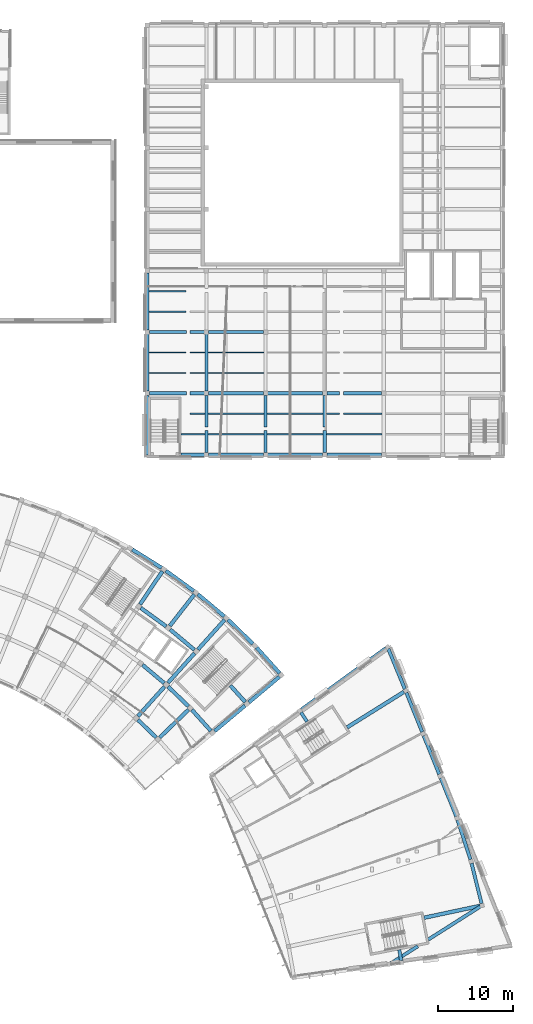
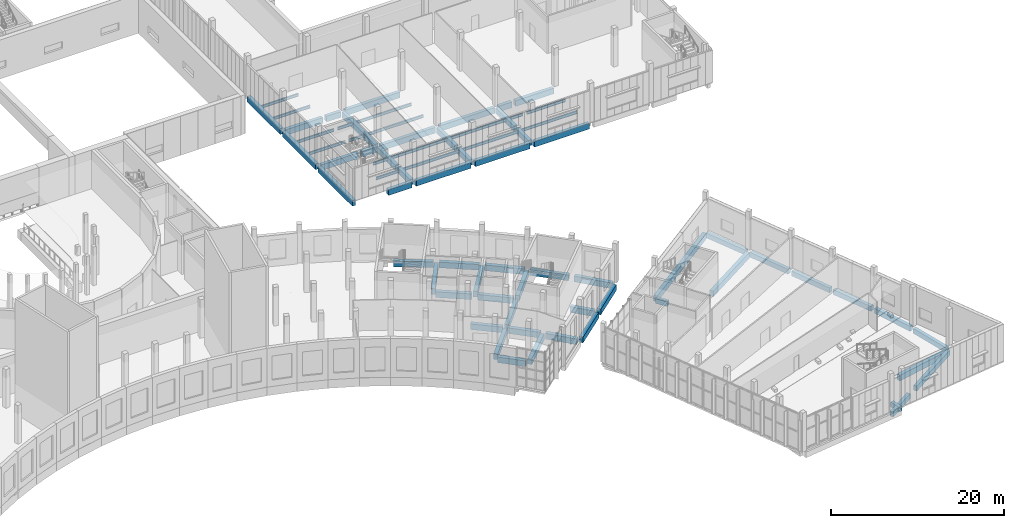
# One storey, part 20 of 87: 73 beams.
"""IFC4 building model written with IfcOpenShell, lengths in metres."""

import ifcopenshell
import ifcopenshell.guid

model = None  # the IFC model being written
_history = None  # IfcOwnerHistory: only IFC2X3 demands one
_inside = {}  # id of a spatial element -> (the spatial element, [elements in it])
_under = {}  # id of a project, library or spatial element -> (it, [spatial elements below it])
_declared = {}  # id of a project -> (the project, [libraries it declares])
_typed = {}  # id of a type object -> (the type object, [elements of that type])
_made_of = {}  # id of a material, layer set ... -> (it, [elements and type objects made of it])


def new_model(schema):
    """Start an empty IFC model of exactly this schema.

    Asked for "IFC4X3", IfcOpenShell would pick the latest addendum, in which some entities
    have other attributes; the version numbers below select the first issue.
    IFC2X3 requires an IfcOwnerHistory on every rooted entity: one is made here for all.
    """
    global model, _history
    if schema == "IFC4X3":
        model = ifcopenshell.file(schema_version=(4, 3, 0, 0))
    else:
        model = ifcopenshell.file(schema=schema)
    _inside.clear()
    _under.clear()
    _declared.clear()
    _typed.clear()
    _made_of.clear()
    _history = None
    if model.schema == "IFC2X3":
        org = make("IfcOrganization", Name="unknown")
        user = make(
            "IfcPersonAndOrganization",
            ThePerson=make("IfcPerson", FamilyName="unknown"),
            TheOrganization=org,
        )
        app = make(
            "IfcApplication",
            ApplicationDeveloper=org,
            Version="unknown",
            ApplicationFullName="unknown",
            ApplicationIdentifier="unknown",
        )
        _history = make(
            "IfcOwnerHistory",
            OwningUser=user,
            OwningApplication=app,
            ChangeAction="ADDED",
            CreationDate=0,
        )
    return model


def make(cls, **values):
    """One entity of the class cls with the attributes given. An attribute that is None is left unset."""
    return model.create_entity(
        cls, **{name: value for name, value in values.items() if value is not None}
    )


def rooted(cls, **values):
    """An entity with a GlobalId (a new one), such as an element, a storey or a relation."""
    return make(cls, GlobalId=ifcopenshell.guid.new(), OwnerHistory=_history, **values)


def si_unit(unit_type, name, prefix=None):
    """IfcSIUnit, for example si_unit("LENGTHUNIT", "METRE", prefix="MILLI")."""
    return make("IfcSIUnit", UnitType=unit_type, Prefix=prefix, Name=name)


def assignment(units):
    """IfcUnitAssignment: the units of a project."""
    return None if units is None else make("IfcUnitAssignment", Units=units)


def point(xyz):
    """IfcCartesianPoint."""
    return None if xyz is None else make("IfcCartesianPoint", Coordinates=xyz)


def direction(xyz):
    """IfcDirection."""
    return None if xyz is None else make("IfcDirection", DirectionRatios=xyz)


def frame(location, z_axis=None, x_axis=None):
    """IfcAxis2Placement3D, a coordinate frame: its origin and axes. An axis left out is left unset."""
    return make(
        "IfcAxis2Placement3D",
        Location=point(location),
        Axis=direction(z_axis),
        RefDirection=direction(x_axis),
    )


def frame_2d(location, x_axis=None):
    """IfcAxis2Placement2D, a coordinate frame in the plane: its origin and x axis."""
    return make(
        "IfcAxis2Placement2D", Location=point(location), RefDirection=direction(x_axis)
    )


def origin():
    """The frame at (0, 0, 0) with its axes left unset."""
    return frame((0.0, 0.0, 0.0))


def origin_2d():
    """The frame at (0, 0) in the plane with its x axis left unset."""
    return frame_2d((0.0, 0.0))


def place(relative_to, where):
    """IfcLocalPlacement: puts the frame where relative to a parent placement (None: the world)."""
    return make(
        "IfcLocalPlacement", PlacementRelTo=relative_to, RelativePlacement=where
    )


def context(
    kind, dimensions, precision=None, world=None, true_north=None, identifier=None
):
    """IfcGeometricRepresentationContext, for example the 3D "Model" context."""
    return make(
        "IfcGeometricRepresentationContext",
        ContextIdentifier=identifier,
        ContextType=kind,
        CoordinateSpaceDimension=dimensions,
        Precision=precision,
        WorldCoordinateSystem=world,
        TrueNorth=true_north,
    )


def subcontext(parent, identifier, kind, view, scale=None):
    """IfcGeometricRepresentationSubContext, for example "Body" below "Model"."""
    return make(
        "IfcGeometricRepresentationSubContext",
        ContextIdentifier=identifier,
        ContextType=kind,
        ParentContext=parent,
        TargetScale=scale,
        TargetView=view,
    )


def project(units=None, contexts=None):
    """IfcProject with its units and contexts."""
    return rooted(
        "IfcProject",
        Name="project",
        RepresentationContexts=contexts,
        UnitsInContext=assignment(units),
    )


def spatial(cls, under=None, at=None, **own):
    """A site, building, storey or space (cls), placed at a placement, below another one or the project."""
    s = rooted(cls, ObjectPlacement=at, **own)
    if under is not None:
        _under.setdefault(under.id(), (under, []))[1].append(s)
    return s


def profile(cls, at=None, kind="AREA", **sizes):
    """A parametric profile (cls). Its sizes go by their IFC names, for example OverallWidth=200.0."""
    return make(cls, ProfileType=kind, Position=at, **sizes)


def rectangle(**sizes):
    """IfcRectangleProfileDef."""
    return profile("IfcRectangleProfileDef", **sizes)


def i_section(**sizes):
    """IfcIShapeProfileDef."""
    return profile("IfcIShapeProfileDef", **sizes)


def extrude(swept, where, along, depth):
    """IfcExtrudedAreaSolid: the profile swept, set in the frame where, extruded along a direction by depth."""
    return make(
        "IfcExtrudedAreaSolid",
        SweptArea=swept,
        Position=where,
        ExtrudedDirection=direction(along),
        Depth=depth,
    )


def shape(context_of_items, identifier, shape_type, items):
    """IfcShapeRepresentation: the items that make up one representation, for example the "Body"."""
    return make(
        "IfcShapeRepresentation",
        ContextOfItems=context_of_items,
        RepresentationIdentifier=identifier,
        RepresentationType=shape_type,
        Items=items,
    )


def material(Name=None, Category=None):
    """IfcMaterial."""
    return make("IfcMaterial", Name=Name, Category=Category)


def material_profile(
    of_material, cross_section, Name=None, Category=None, Priority=None
):
    """IfcMaterialProfile: a cross section and its material."""
    return make(
        "IfcMaterialProfile",
        Name=Name,
        Material=of_material,
        Profile=cross_section,
        Priority=Priority,
        Category=Category,
    )


def profile_set(profiles, Name=None, composite=None):
    """IfcMaterialProfileSet."""
    return make(
        "IfcMaterialProfileSet",
        Name=Name,
        MaterialProfiles=profiles,
        CompositeProfile=composite,
    )


def made_of(thing, what):
    """Note that an element or type object is made of a material, layer set ...; save() writes the relation."""
    if what is not None:
        _made_of.setdefault(what.id(), (what, []))[1].append(thing)
    return thing


def type_object(cls, material=None, **own):
    """A type object (cls), such as IfcWallType, which elements share."""
    return made_of(rooted(cls, **own), material)


def element(
    cls,
    number,
    at=None,
    inside=None,
    cuts=None,
    type_object=None,
    material=None,
    context=None,
    identifier="Body",
    shape_type=None,
    held_by="IfcProductDefinitionShape",
    body=None,
    shapes=None,
    **own,
):
    """One element of the class cls, such as IfcWall. Its Tag is "e" and its number.

    at: its placement. inside: the storey or other place that contains it. cuts: it is an
    opening in that element (IfcRelVoidsElement). A single representation is given by context,
    identifier, shape_type and body (its items); several are given by shapes. held_by: the class
    of the entity that holds the representations. save() writes the other relations.
    """
    e = rooted(cls, Tag="e%d" % number, ObjectPlacement=at, **own)
    if body is not None:
        shapes = [shape(context, identifier, shape_type, body)]
    if shapes is not None:
        e.Representation = make(held_by, Representations=shapes)
    if inside is not None:
        _inside.setdefault(inside.id(), (inside, []))[1].append(e)
    if cuts is not None:
        rooted(
            "IfcRelVoidsElement", RelatingBuildingElement=cuts, RelatedOpeningElement=e
        )
    if type_object is not None:
        _typed.setdefault(type_object.id(), (type_object, []))[1].append(e)
    return made_of(e, material)


def aggregate(whole, parts):
    """IfcRelAggregates: a whole, such as a stair, and the parts it consists of."""
    return rooted("IfcRelAggregates", RelatingObject=whole, RelatedObjects=parts)


def save(model, path):
    """Write the relations noted so far, then the file.

    IfcRelAggregates (storeys below a building ...), IfcRelContainedInSpatialStructure (elements
    in a storey), IfcRelDefinesByType, IfcRelAssociatesMaterial and IfcRelDeclares: one each for
    every whole, place, type object, material and project.
    """
    for whole, parts in _under.values():
        aggregate(whole, parts)
    for where, things in _inside.values():
        rooted(
            "IfcRelContainedInSpatialStructure",
            RelatedElements=things,
            RelatingStructure=where,
        )
    for kind, things in _typed.values():
        rooted("IfcRelDefinesByType", RelatedObjects=things, RelatingType=kind)
    for what, things in _made_of.values():
        rooted("IfcRelAssociatesMaterial", RelatedObjects=things, RelatingMaterial=what)
    for by, libraries in _declared.values():
        rooted("IfcRelDeclares", RelatingContext=by, RelatedDefinitions=libraries)
    model.write(path)


model = new_model("IFC4")

# Units and contexts
model_context = context("Model", 3, precision=1e-05, world=origin(), true_north=direction((0.0, 1.0)))
body_context = subcontext(model_context, "Body", "Model", "MODEL_VIEW")
ifc_project = project(units=[si_unit("LENGTHUNIT", "METRE"), si_unit("AREAUNIT", "SQUARE_METRE"), si_unit("VOLUMEUNIT", "CUBIC_METRE"), si_unit("PLANEANGLEUNIT", "RADIAN"), si_unit("MASSUNIT", "GRAM", prefix="KILO")], contexts=[model_context])

# Site, building, storey
site_placement = place(None, origin())
site = spatial("IfcSite", under=ifc_project, at=site_placement, CompositionType="ELEMENT")
building_placement = place(site_placement, origin())
building = spatial("IfcBuilding", under=site, at=building_placement, Name="Lunette Opera House", CompositionType="ELEMENT")
storey_placement = place(building_placement, frame((0.0, 0.0, 11.5)))
storey = spatial("IfcBuildingStorey", under=building, at=storey_placement, Name="L02", CompositionType="ELEMENT", Elevation=11.5)

# Beams
ifc_material_1 = material(Name="Concrete C35/45", Category="concrete")
ifc_material_profile_1 = material_profile(ifc_material_1, rectangle(XDim=0.449951171875, YDim=0.699951171875, at=origin_2d()), Name="RC BEAM 450X700")
ifc_profile_set_1 = profile_set([ifc_material_profile_1], Name="Concrete C35/45")
beam_type_1 = type_object("IfcBeamType", Name="RC BEAM 450X700", PredefinedType="BEAM", material=ifc_profile_set_1)
beam_1_placement = place(storey_placement, frame((156.823974609375, 43.864013671875, -0.570068359375), z_axis=(0.559555526977, -0.82879286449, 0.0), x_axis=(0.82879286449, 0.559555526977, 0.0)))
element("IfcBeam", 1, at=beam_1_placement, inside=storey, type_object=beam_type_1, Name="beam-SB-L02-L02-RG10", PredefinedType="BEAM", context=body_context, shape_type="SweptSolid", body=[
    extrude(rectangle(XDim=0.449951171875, YDim=0.699951171875, at=origin_2d()), origin(), (0.0, 0.0, 1.0), 1.470703125),
])
beam_2_placement = place(storey_placement, frame((169.968994140625, 12.14697265625, -0.570068359375), z_axis=(0.173520096669, -0.98483032856, 0.0), x_axis=(0.98483032856, 0.173520096669, 0.0)))
element("IfcBeam", 2, at=beam_2_placement, inside=storey, type_object=beam_type_1, Name="beam-SB-L02-L02-RG16", PredefinedType="BEAM", context=body_context, shape_type="SweptSolid", body=[
    extrude(rectangle(XDim=0.449951171875, YDim=0.699951171875, at=origin_2d()), origin(), (0.0, 0.0, 1.0), 1.47021484375),
])
beam_3_placement = place(storey_placement, frame((168.508056640625, 52.362060546875, -0.570068359375), z_axis=(0.380730757581, -0.924685941405, 0.0), x_axis=(0.924685941405, 0.380730757581, 0.0)))
element("IfcBeam", 3, at=beam_3_placement, inside=storey, type_object=beam_type_1, Name="beam-SB-L02-L02-RG20", PredefinedType="BEAM", context=body_context, shape_type="SweptSolid", body=[
    extrude(rectangle(XDim=0.449951171875, YDim=0.699951171875, at=origin_2d()), origin(), (0.0, 0.0, 1.0), 5.802001953125),
])
beam_4_placement = place(storey_placement, frame((170.91796875, 46.506103515625, -0.570068359375), z_axis=(0.373792337648, -0.927512419494, 0.0), x_axis=(0.927512419494, 0.373792337648, 0.0)))
element("IfcBeam", 4, at=beam_4_placement, inside=storey, type_object=beam_type_1, Name="beam-SB-L02-L02-RG21", PredefinedType="BEAM", context=body_context, shape_type="SweptSolid", body=[
    extrude(rectangle(XDim=0.449951171875, YDim=0.699951171875, at=origin_2d()), origin(), (0.0, 0.0, 1.0), 5.658203125),
])
beam_5_placement = place(storey_placement, frame((173.23193359375, 40.76611328125, -0.570068359375), z_axis=(0.374141105341, -0.927371788063, 0.0), x_axis=(0.927371788063, 0.374141105341, 0.0)))
element("IfcBeam", 5, at=beam_5_placement, inside=storey, type_object=beam_type_1, Name="beam-SB-L02-L02-RG22", PredefinedType="BEAM", context=body_context, shape_type="SweptSolid", body=[
    extrude(rectangle(XDim=0.449951171875, YDim=0.699951171875, at=origin_2d()), origin(), (0.0, 0.0, 1.0), 5.5673828125),
])
beam_6_placement = place(storey_placement, frame((175.513916015625, 35.112060546875, -0.570068359375), z_axis=(0.374558549143, -0.927203264265, 0.0), x_axis=(0.927203264265, 0.374558549143, 0.0)))
element("IfcBeam", 6, at=beam_6_placement, inside=storey, type_object=beam_type_1, Name="beam-SB-L02-L02-RG23", PredefinedType="BEAM", context=body_context, shape_type="SweptSolid", body=[
    extrude(rectangle(XDim=0.449951171875, YDim=0.699951171875, at=origin_2d()), origin(), (0.0, 0.0, 1.0), 5.537109375),
])
beam_7_placement = place(storey_placement, frame((177.76904296875, 29.47998046875, -0.570068359375), z_axis=(0.30910401414, -0.951028237458, 0.0), x_axis=(0.951028237458, 0.30910401414, 0.0)))
element("IfcBeam", 7, at=beam_7_placement, inside=storey, type_object=beam_type_1, Name="beam-SB-L02-L02-RG24", PredefinedType="BEAM", context=body_context, shape_type="SweptSolid", body=[
    extrude(rectangle(XDim=0.449951171875, YDim=0.699951171875, at=origin_2d()), origin(), (0.0, 0.0, 1.0), 5.538330078125),
])
beam_8_placement = place(storey_placement, frame((179.626953125, 23.7041015625, -0.570068359375), z_axis=(0.241830131183, -0.970318601106, 0.0), x_axis=(0.970318601106, 0.241830131183, 0.0)))
element("IfcBeam", 8, at=beam_8_placement, inside=storey, type_object=beam_type_1, Name="beam-SB-L02-L02-RG25", PredefinedType="BEAM", context=body_context, shape_type="SweptSolid", body=[
    extrude(rectangle(XDim=0.449951171875, YDim=0.699951171875, at=origin_2d()), origin(), (0.0, 0.0, 1.0), 5.537353515625),
])
beam_9_placement = place(storey_placement, frame((180.806884765625, 17.931884765625, -0.570068359375), z_axis=(-0.844138835531, -0.536124636954, 0.0), x_axis=(0.536124636954, -0.844138835531, 0.0)))
element("IfcBeam", 9, at=beam_9_placement, inside=storey, type_object=beam_type_1, Name="beam-SB-L02-L02-RG26", PredefinedType="BEAM", context=body_context, shape_type="SweptSolid", body=[
    extrude(rectangle(XDim=0.449951171875, YDim=0.699951171875, at=origin_2d()), origin(), (0.0, 0.0, 1.0), 8.249755859375),
])
beam_10_placement = place(storey_placement, frame((172.445068359375, 12.6220703125, -0.570068359375), z_axis=(-0.844124171518, -0.536147725034, 0.0), x_axis=(0.536147725034, -0.844124171518, 0.0)))
element("IfcBeam", 10, at=beam_10_placement, inside=storey, type_object=beam_type_1, Name="beam-SB-L02-L02-RG26-1", PredefinedType="BEAM", context=body_context, shape_type="SweptSolid", body=[
    extrude(rectangle(XDim=0.449951171875, YDim=0.699951171875, at=origin_2d()), origin(), (0.0, 0.0, 1.0), 4.23388671875),
])
ifc_material_2 = material(Name="Concrete C35/45", Category="concrete")
ifc_material_profile_2 = material_profile(ifc_material_2, rectangle(XDim=0.449951171875, YDim=0.800048828125, at=origin_2d()), Name="RC BEAM 450X800")
ifc_profile_set_2 = profile_set([ifc_material_profile_2], Name="Concrete C35/45")
beam_type_2 = type_object("IfcBeamType", Name="RC BEAM 450X800", PredefinedType="BEAM", material=ifc_profile_set_2)
beam_11_placement = place(storey_placement, frame((136.300048828125, 78.300048828125, -0.550048828125), z_axis=(0.0, 1.0, 0.0), x_axis=(-1.0, 0.0, 0.0)))
element("IfcBeam", 11, at=beam_11_placement, inside=storey, type_object=beam_type_2, Name="beam-WW-L02-L02-GY00", PredefinedType="BEAM", context=body_context, shape_type="SweptSolid", body=[
    extrude(rectangle(XDim=0.449951171875, YDim=0.800048828125, at=origin_2d()), origin(), (0.0, 0.0, 1.0), 7.909912109375),
])
beam_12_placement = place(storey_placement, frame((136.300048828125, 86.7900390625, -0.550048828125), z_axis=(0.0, 1.0, 0.0), x_axis=(-1.0, 0.0, 0.0)))
element("IfcBeam", 12, at=beam_12_placement, inside=storey, type_object=beam_type_2, Name="beam-WW-L02-L02-GY01", PredefinedType="BEAM", context=body_context, shape_type="SweptSolid", body=[
    extrude(rectangle(XDim=0.449951171875, YDim=0.800048828125, at=origin_2d()), origin(), (0.0, 0.0, 1.0), 7.619873046875),
])
beam_13_placement = place(storey_placement, frame((136.300048828125, 94.989990234375, -0.550048828125), z_axis=(0.0, 1.0, 0.0), x_axis=(-1.0, 0.0, 0.0)))
element("IfcBeam", 13, at=beam_13_placement, inside=storey, type_object=beam_type_2, Name="beam-WW-L02-L02-GY02", PredefinedType="BEAM", context=body_context, shape_type="SweptSolid", body=[
    extrude(rectangle(XDim=0.449951171875, YDim=0.800048828125, at=origin_2d()), origin(), (0.0, 0.0, 1.0), 7.6201171875),
])
beam_14_placement = place(storey_placement, frame((144.199951171875, 78.590087890625, -0.550048828125), z_axis=(0.0, 1.0, 0.0), x_axis=(-1.0, 0.0, 0.0)))
element("IfcBeam", 14, at=beam_14_placement, inside=storey, type_object=beam_type_2, Name="beam-WW-L02-L02-GY10", PredefinedType="BEAM", context=body_context, shape_type="SweptSolid", body=[
    extrude(rectangle(XDim=0.449951171875, YDim=0.800048828125, at=origin_2d()), origin(), (0.0, 0.0, 1.0), 2.919921875),
])
beam_15_placement = place(storey_placement, frame((144.199951171875, 81.989990234375, -0.550048828125), z_axis=(0.0, 1.0, 0.0), x_axis=(-1.0, 0.0, 0.0)))
element("IfcBeam", 15, at=beam_15_placement, inside=storey, type_object=beam_type_2, Name="beam-WW-L02-L02-GY10-1", PredefinedType="BEAM", context=body_context, shape_type="SweptSolid", body=[
    extrude(rectangle(XDim=0.449951171875, YDim=0.800048828125, at=origin_2d()), origin(), (0.0, 0.0, 1.0), 4.219970703125),
])
beam_16_placement = place(storey_placement, frame((144.199951171875, 86.7900390625, -0.550048828125), z_axis=(0.0, 1.0, 0.0), x_axis=(-1.0, 0.0, 0.0)))
element("IfcBeam", 16, at=beam_16_placement, inside=storey, type_object=beam_type_2, Name="beam-WW-L02-L02-GY11", PredefinedType="BEAM", context=body_context, shape_type="SweptSolid", body=[
    extrude(rectangle(XDim=0.449951171875, YDim=0.800048828125, at=origin_2d()), origin(), (0.0, 0.0, 1.0), 7.619873046875),
])
beam_17_placement = place(storey_placement, frame((152.10009765625, 78.590087890625, -0.550048828125), z_axis=(0.0, 1.0, 0.0), x_axis=(-1.0, 0.0, 0.0)))
element("IfcBeam", 17, at=beam_17_placement, inside=storey, type_object=beam_type_2, Name="beam-WW-L02-L02-GY20", PredefinedType="BEAM", context=body_context, shape_type="SweptSolid", body=[
    extrude(rectangle(XDim=0.449951171875, YDim=0.800048828125, at=origin_2d()), origin(), (0.0, 0.0, 1.0), 2.919921875),
])
beam_18_placement = place(storey_placement, frame((152.10009765625, 81.989990234375, -0.550048828125), z_axis=(0.0, 1.0, 0.0), x_axis=(-1.0, 0.0, 0.0)))
element("IfcBeam", 18, at=beam_18_placement, inside=storey, type_object=beam_type_2, Name="beam-WW-L02-L02-GY20-1", PredefinedType="BEAM", context=body_context, shape_type="SweptSolid", body=[
    extrude(rectangle(XDim=0.449951171875, YDim=0.800048828125, at=origin_2d()), origin(), (0.0, 0.0, 1.0), 4.219970703125),
])
beam_19_placement = place(storey_placement, frame((160.0, 78.590087890625, -0.550048828125), z_axis=(0.0, 1.0, 0.0), x_axis=(-1.0, 0.0, 0.0)))
element("IfcBeam", 19, at=beam_19_placement, inside=storey, type_object=beam_type_2, Name="beam-WW-L02-L02-GY30", PredefinedType="BEAM", context=body_context, shape_type="SweptSolid", body=[
    extrude(rectangle(XDim=0.449951171875, YDim=0.800048828125, at=origin_2d()), origin(), (0.0, 0.0, 1.0), 2.919921875),
])
beam_20_placement = place(storey_placement, frame((160.0, 81.989990234375, -0.550048828125), z_axis=(0.0, 1.0, 0.0), x_axis=(-1.0, 0.0, 0.0)))
element("IfcBeam", 20, at=beam_20_placement, inside=storey, type_object=beam_type_2, Name="beam-WW-L02-L02-GY30-1", PredefinedType="BEAM", context=body_context, shape_type="SweptSolid", body=[
    extrude(rectangle(XDim=0.449951171875, YDim=0.800048828125, at=origin_2d()), origin(), (0.0, 0.0, 1.0), 4.219970703125),
])
beam_21_placement = place(storey_placement, frame((140.7900390625, 78.300048828125, -0.550048828125), z_axis=(1.0, 0.0, 0.0), x_axis=(0.0, 1.0, 0.0)))
element("IfcBeam", 21, at=beam_21_placement, inside=storey, type_object=beam_type_2, Name="beam-WW-L02-L02-GX00", PredefinedType="BEAM", context=body_context, shape_type="SweptSolid", body=[
    extrude(rectangle(XDim=0.449951171875, YDim=0.800048828125, at=origin_2d()), origin(), (0.0, 0.0, 1.0), 3.119873046875),
])
for number, where, z_axis, x_axis, name in (
    (22, (144.489990234375, 78.300048828125, -0.550048828125), (1.0, 0.0, 0.0), (0.0, 1.0, 0.0), "beam-WW-L02-L02-GX10"),
    (23, (152.389892578125, 78.300048828125, -0.550048828125), (1.0, 0.0, 0.0), (0.0, 1.0, 0.0), "beam-WW-L02-L02-GX20"),
    (24, (160.2900390625, 78.300048828125, -0.550048828125), (1.0, 0.0, 0.0), (0.0, 1.0, 0.0), "beam-WW-L02-L02-GX30"),
):
    element("IfcBeam", number, at=place(storey_placement, frame(where, z_axis=z_axis, x_axis=x_axis)), inside=storey, type_object=beam_type_2, Name=name, PredefinedType="BEAM", context=body_context, shape_type="SweptSolid", body=[
        extrude(rectangle(XDim=0.449951171875, YDim=0.800048828125, at=origin_2d()), origin(), (0.0, 0.0, 1.0), 7.320068359375),
    ])
beam_22_placement = place(storey_placement, frame((136.590087890625, 86.5, -0.550048828125), z_axis=(1.0, 0.0, 0.0), x_axis=(0.0, 1.0, 0.0)))
element("IfcBeam", 25, at=beam_22_placement, inside=storey, type_object=beam_type_2, Name="beam-WW-L02-L02-GX01", PredefinedType="BEAM", context=body_context, shape_type="SweptSolid", body=[
    extrude(rectangle(XDim=0.449951171875, YDim=0.800048828125, at=origin_2d()), origin(), (0.0, 0.0, 1.0), 4.919921875),
])
beam_23_placement = place(storey_placement, frame((141.989990234375, 86.5, -0.550048828125), z_axis=(1.0, 0.0, 0.0), x_axis=(0.0, 1.0, 0.0)))
element("IfcBeam", 26, at=beam_23_placement, inside=storey, type_object=beam_type_2, Name="beam-WW-L02-L02-GX01-1", PredefinedType="BEAM", context=body_context, shape_type="SweptSolid", body=[
    extrude(rectangle(XDim=0.449951171875, YDim=0.800048828125, at=origin_2d()), origin(), (0.0, 0.0, 1.0), 1.919921875),
])
for number, where, z_axis, x_axis, name in (
    (27, (144.489990234375, 86.5, -0.550048828125), (1.0, 0.0, 0.0), (0.0, 1.0, 0.0), "beam-WW-L02-L02-GX11"),
    (28, (152.389892578125, 86.5, -0.550048828125), (1.0, 0.0, 0.0), (0.0, 1.0, 0.0), "beam-WW-L02-L02-GX21"),
):
    element("IfcBeam", number, at=place(storey_placement, frame(where, z_axis=z_axis, x_axis=x_axis)), inside=storey, type_object=beam_type_2, Name=name, PredefinedType="BEAM", context=body_context, shape_type="SweptSolid", body=[
        extrude(rectangle(XDim=0.449951171875, YDim=0.800048828125, at=origin_2d()), origin(), (0.0, 0.0, 1.0), 7.320068359375),
    ])
beam_24_placement = place(storey_placement, frame((160.2900390625, 86.5, -0.550048828125), z_axis=(1.0, 0.0, 0.0), x_axis=(0.0, 1.0, 0.0)))
element("IfcBeam", 29, at=beam_24_placement, inside=storey, type_object=beam_type_2, Name="beam-WW-L02-L02-GX31", PredefinedType="BEAM", context=body_context, shape_type="SweptSolid", body=[
    extrude(rectangle(XDim=0.449951171875, YDim=0.800048828125, at=origin_2d()), origin(), (0.0, 0.0, 1.0), 1.719970703125),
])
beam_25_placement = place(storey_placement, frame((162.489990234375, 86.5, -0.550048828125), z_axis=(1.0, 0.0, 0.0), x_axis=(0.0, 1.0, 0.0)))
element("IfcBeam", 30, at=beam_25_placement, inside=storey, type_object=beam_type_2, Name="beam-WW-L02-L02-GX31-1", PredefinedType="BEAM", context=body_context, shape_type="SweptSolid", body=[
    extrude(rectangle(XDim=0.449951171875, YDim=0.800048828125, at=origin_2d()), origin(), (0.0, 0.0, 1.0), 5.1201171875),
])
beam_26_placement = place(storey_placement, frame((136.590087890625, 94.699951171875, -0.550048828125), z_axis=(1.0, 0.0, 0.0), x_axis=(0.0, 1.0, 0.0)))
element("IfcBeam", 31, at=beam_26_placement, inside=storey, type_object=beam_type_2, Name="beam-WW-L02-L02-GX02", PredefinedType="BEAM", context=body_context, shape_type="SweptSolid", body=[
    extrude(rectangle(XDim=0.449951171875, YDim=0.800048828125, at=origin_2d()), origin(), (0.0, 0.0, 1.0), 4.919921875),
])
beam_27_placement = place(storey_placement, frame((141.989990234375, 94.699951171875, -0.550048828125), z_axis=(1.0, 0.0, 0.0), x_axis=(0.0, 1.0, 0.0)))
element("IfcBeam", 32, at=beam_27_placement, inside=storey, type_object=beam_type_2, Name="beam-WW-L02-L02-GX02-1", PredefinedType="BEAM", context=body_context, shape_type="SweptSolid", body=[
    extrude(rectangle(XDim=0.449951171875, YDim=0.800048828125, at=origin_2d()), origin(), (0.0, 0.0, 1.0), 1.919921875),
])
beam_28_placement = place(storey_placement, frame((144.489990234375, 94.699951171875, -0.550048828125), z_axis=(1.0, 0.0, 0.0), x_axis=(0.0, 1.0, 0.0)))
element("IfcBeam", 33, at=beam_28_placement, inside=storey, type_object=beam_type_2, Name="beam-WW-L02-L02-GX12", PredefinedType="BEAM", context=body_context, shape_type="SweptSolid", body=[
    extrude(rectangle(XDim=0.449951171875, YDim=0.800048828125, at=origin_2d()), origin(), (0.0, 0.0, 1.0), 7.320068359375),
])
ifc_material_3 = material(Name="Concrete C35/45", Category="concrete")
ifc_material_profile_3 = material_profile(ifc_material_3, rectangle(XDim=0.5, YDim=0.800048828125, at=origin_2d()), Name="RC BEAM 500X800")
ifc_profile_set_3 = profile_set([ifc_material_profile_3], Name="Concrete C35/45")
beam_type_3 = type_object("IfcBeamType", Name="RC BEAM 500X800", PredefinedType="BEAM", material=ifc_profile_set_3)
for number, where, z_axis, x_axis, name in (
    (34, (135.333984375, 58.31494140625, -0.6201171875), (0.559245834689, 0.829001867539, 0.0), (-0.829001867539, 0.559245834689, 0.0), "beam-FC-L02-L02-RB-RL-22-4"),
    (35, (139.305908203125, 55.428955078125, -0.6201171875), (0.615648494847, 0.788020894896, 0.0), (-0.788020894896, 0.615648494847, 0.0), "beam-FC-L02-L02-RB-RL-23-4"),
):
    element("IfcBeam", number, at=place(storey_placement, frame(where, z_axis=z_axis, x_axis=x_axis)), inside=storey, type_object=beam_type_3, Name=name, PredefinedType="BEAM", context=body_context, shape_type="SweptSolid", body=[
        extrude(rectangle(XDim=0.5, YDim=0.800048828125, at=origin_2d()), origin(), (0.0, 0.0, 1.0), 5.31982421875),
    ])
beam_29_placement = place(storey_placement, frame((135.037109375, 43.35498046875, -0.6201171875), z_axis=(0.669081342806, 0.743189179623, 0.0), x_axis=(-0.743189179623, 0.669081342806, 0.0)))
element("IfcBeam", 36, at=beam_29_placement, inside=storey, type_object=beam_type_3, Name="beam-FC-L02-L02-RB-RL-24-2", PredefinedType="BEAM", context=body_context, shape_type="SweptSolid", body=[
    extrude(rectangle(XDim=0.5, YDim=0.800048828125, at=origin_2d()), origin(), (0.0, 0.0, 1.0), 5.320556640625),
])
beam_30_placement = place(storey_placement, frame((139.052001953125, 47.81396484375, -0.6201171875), z_axis=(0.66919796217, 0.743084172505, 0.0), x_axis=(-0.743084172505, 0.66919796217, 0.0)))
element("IfcBeam", 37, at=beam_30_placement, inside=storey, type_object=beam_type_3, Name="beam-FC-L02-L02-RB-RL-24-3", PredefinedType="BEAM", context=body_context, shape_type="SweptSolid", body=[
    extrude(rectangle(XDim=0.5, YDim=0.800048828125, at=origin_2d()), origin(), (0.0, 0.0, 1.0), 5.31982421875),
])
beam_31_placement = place(storey_placement, frame((143.06689453125, 52.27294921875, -0.6201171875), z_axis=(0.669096581874, 0.743175459851, 0.0), x_axis=(-0.743175459851, 0.669096581874, 0.0)))
element("IfcBeam", 38, at=beam_31_placement, inside=storey, type_object=beam_type_3, Name="beam-FC-L02-L02-RB-RL-24-4", PredefinedType="BEAM", context=body_context, shape_type="SweptSolid", body=[
    extrude(rectangle(XDim=0.5, YDim=0.800048828125, at=origin_2d()), origin(), (0.0, 0.0, 1.0), 5.3193359375),
])
beam_32_placement = place(storey_placement, frame((137.966064453125, 40.52587890625, -0.6201171875), z_axis=(0.719297872313, 0.694701785579, 0.0), x_axis=(-0.694701785579, 0.719297872313, 0.0)))
element("IfcBeam", 39, at=beam_32_placement, inside=storey, type_object=beam_type_3, Name="beam-FC-L02-L02-RB-RL-25-2", PredefinedType="BEAM", context=body_context, shape_type="SweptSolid", body=[
    extrude(rectangle(XDim=0.5, YDim=0.800048828125, at=origin_2d()), origin(), (0.0, 0.0, 1.0), 5.3203125),
])
beam_33_placement = place(storey_placement, frame((145.287109375, 41.35693359375, -0.6201171875), z_axis=(0.76603920911, 0.642793847285, 0.0), x_axis=(-0.642793847285, 0.76603920911, 0.0)))
element("IfcBeam", 40, at=beam_33_placement, inside=storey, type_object=beam_type_3, Name="beam-FC-L02-L02-RB-RL-26-3", PredefinedType="BEAM", context=body_context, shape_type="SweptSolid", body=[
    extrude(rectangle(XDim=0.5, YDim=0.800048828125, at=origin_2d()), origin(), (0.0, 0.0, 1.0), 5.32080078125),
])
beam_34_placement = place(storey_placement, frame((149.884033203125, 45.214111328125, -0.6201171875), z_axis=(0.766076352309, 0.642749579878, 0.0), x_axis=(-0.642749579878, 0.766076352309, 0.0)))
element("IfcBeam", 41, at=beam_34_placement, inside=storey, type_object=beam_type_3, Name="beam-FC-L02-L02-RB-RL-26-4", PredefinedType="BEAM", context=body_context, shape_type="SweptSolid", body=[
    extrude(rectangle(XDim=0.5, YDim=0.800048828125, at=origin_2d()), origin(), (0.0, 0.0, 1.0), 5.3193359375),
])
beam_35_placement = place(storey_placement, frame((135.054931640625, 42.865966796875, -0.6201171875), z_axis=(0.719180338661, -0.69482345994, 0.0), x_axis=(0.69482345994, 0.719180338661, 0.0)))
element("IfcBeam", 42, at=beam_35_placement, inside=storey, type_object=beam_type_3, Name="beam-FC-L02-L02-RG-AR-M1-RL-24", PredefinedType="BEAM", context=body_context, shape_type="SweptSolid", body=[
    extrude(rectangle(XDim=0.5, YDim=0.800048828125, at=origin_2d()), origin(), (0.0, 0.0, 1.0), 3.367919921875),
])
beam_36_placement = place(storey_placement, frame((135.6630859375, 50.214111328125, -0.6201171875), z_axis=(0.76594363351, -0.642907730771, 0.0), x_axis=(0.642907730771, 0.76594363351, 0.0)))
element("IfcBeam", 43, at=beam_36_placement, inside=storey, type_object=beam_type_3, Name="beam-FC-L02-L02-RG-AR-B-RL-23", PredefinedType="BEAM", context=body_context, shape_type="SweptSolid", body=[
    extrude(rectangle(XDim=0.5, YDim=0.800048828125, at=origin_2d()), origin(), (0.0, 0.0, 1.0), 3.7861328125),
])
beam_37_placement = place(storey_placement, frame((139.069091796875, 47.324951171875, -0.6201171875), z_axis=(0.719281477896, -0.694718760043, 0.0), x_axis=(0.694718760043, 0.719281477896, 0.0)))
element("IfcBeam", 44, at=beam_37_placement, inside=storey, type_object=beam_type_3, Name="beam-FC-L02-L02-RG-AR-B-RL-24", PredefinedType="BEAM", context=body_context, shape_type="SweptSolid", body=[
    extrude(rectangle(XDim=0.5, YDim=0.800048828125, at=origin_2d()), origin(), (0.0, 0.0, 1.0), 3.786865234375),
])
beam_38_placement = place(storey_placement, frame((142.26611328125, 44.205078125, -0.6201171875), z_axis=(0.669021732106, -0.743242841856, 0.0), x_axis=(0.743242841856, 0.669021732106, 0.0)))
element("IfcBeam", 45, at=beam_38_placement, inside=storey, type_object=beam_type_3, Name="beam-FC-L02-L02-RG-AR-B-RL-25", PredefinedType="BEAM", context=body_context, shape_type="SweptSolid", body=[
    extrude(rectangle(XDim=0.5, YDim=0.800048828125, at=origin_2d()), origin(), (0.0, 0.0, 1.0), 3.7861328125),
])
beam_39_placement = place(storey_placement, frame((135.4189453125, 57.8330078125, -0.6201171875), z_axis=(0.8089996052, -0.587809185694, 0.0), x_axis=(0.587809185694, 0.8089996052, 0.0)))
element("IfcBeam", 46, at=beam_39_placement, inside=storey, type_object=beam_type_3, Name="beam-FC-L02-L02-RG-AR-M2-RL-22", PredefinedType="BEAM", context=body_context, shape_type="SweptSolid", body=[
    extrude(rectangle(XDim=0.5, YDim=0.800048828125, at=origin_2d()), origin(), (0.0, 0.0, 1.0), 4.205322265625),
])
beam_40_placement = place(storey_placement, frame((139.35693359375, 54.94189453125, -0.6201171875), z_axis=(0.766022755014, -0.642813455678, 0.0), x_axis=(0.642813455678, 0.766022755014, 0.0)))
element("IfcBeam", 47, at=beam_40_placement, inside=storey, type_object=beam_type_3, Name="beam-FC-L02-L02-RG-AR-M2-RL-23", PredefinedType="BEAM", context=body_context, shape_type="SweptSolid", body=[
    extrude(rectangle(XDim=0.5, YDim=0.800048828125, at=origin_2d()), origin(), (0.0, 0.0, 1.0), 4.204833984375),
])
beam_41_placement = place(storey_placement, frame((147.405029296875, 47.458984375, -0.6201171875), z_axis=(0.6689919383, -0.743269659336, 0.0), x_axis=(0.743269659336, 0.6689919383, 0.0)))
element("IfcBeam", 48, at=beam_41_placement, inside=storey, type_object=beam_type_3, Name="beam-FC-L02-L02-RG-AR-M2-RL-25", PredefinedType="BEAM", context=body_context, shape_type="SweptSolid", body=[
    extrude(rectangle(XDim=0.5, YDim=0.800048828125, at=origin_2d()), origin(), (0.0, 0.0, 1.0), 2.974609375),
])
for number, where, z_axis, x_axis, name in (
    (49, (134.2890625, 65.637939453125, -0.6201171875), (0.847962706809, -0.530055891261, 0.0), (0.530055891261, 0.847962706809, 0.0), "beam-FC-L02-L02-RG-AR-C-RL-21"),
    (50, (138.77392578125, 62.806884765625, -0.6201171875), (0.809037359893, -0.58775722054, 0.0), (0.58775722054, 0.809037359893, 0.0), "beam-FC-L02-L02-RG-AR-C-RL-22"),
):
    element("IfcBeam", number, at=place(storey_placement, frame(where, z_axis=z_axis, x_axis=x_axis)), inside=storey, type_object=beam_type_3, Name=name, PredefinedType="BEAM", context=body_context, shape_type="SweptSolid", body=[
        extrude(rectangle(XDim=0.5, YDim=0.800048828125, at=origin_2d()), origin(), (0.0, 0.0, 1.0), 4.6240234375),
    ])
beam_42_placement = place(storey_placement, frame((143.051025390625, 59.669921875, -0.6201171875), z_axis=(0.766061536692, -0.64276723781, 0.0), x_axis=(0.64276723781, 0.766061536692, 0.0)))
element("IfcBeam", 51, at=beam_42_placement, inside=storey, type_object=beam_type_3, Name="beam-FC-L02-L02-RG-AR-C-RL-23", PredefinedType="BEAM", context=body_context, shape_type="SweptSolid", body=[
    extrude(rectangle(XDim=0.5, YDim=0.800048828125, at=origin_2d()), origin(), (0.0, 0.0, 1.0), 4.62353515625),
])
beam_43_placement = place(storey_placement, frame((147.09912109375, 56.242919921875, -0.6201171875), z_axis=(0.719223136798, -0.694779158794, 0.0), x_axis=(0.694779158794, 0.719223136798, 0.0)))
element("IfcBeam", 52, at=beam_43_placement, inside=storey, type_object=beam_type_3, Name="beam-FC-L02-L02-RG-AR-C-RL-24", PredefinedType="BEAM", context=body_context, shape_type="SweptSolid", body=[
    extrude(rectangle(XDim=0.5, YDim=0.800048828125, at=origin_2d()), origin(), (0.0, 0.0, 1.0), 4.624267578125),
])
beam_44_placement = place(storey_placement, frame((150.89794921875, 52.541015625, -0.6201171875), z_axis=(0.669034751379, -0.743231122496, 0.0), x_axis=(0.743231122496, 0.669034751379, 0.0)))
element("IfcBeam", 53, at=beam_44_placement, inside=storey, type_object=beam_type_3, Name="beam-FC-L02-L02-RG-AR-C-RL-25", PredefinedType="BEAM", context=body_context, shape_type="SweptSolid", body=[
    extrude(rectangle(XDim=0.5, YDim=0.800048828125, at=origin_2d()), origin(), (0.0, 0.0, 1.0), 4.623046875),
])
beam_45_placement = place(storey_placement, frame((156.89111328125, 44.239990234375, -0.6201171875), z_axis=(0.809032229307, 0.587764282636, 0.0), x_axis=(-0.587764282636, 0.809032229307, 0.0)))
element("IfcBeam", 54, at=beam_45_placement, inside=storey, type_object=beam_type_3, Name="beam-SB-L02-L02-RB10", PredefinedType="BEAM", context=body_context, shape_type="SweptSolid", body=[
    extrude(rectangle(XDim=0.5, YDim=0.800048828125, at=origin_2d()), origin(), (0.0, 0.0, 1.0), 13.9697265625),
])
beam_46_placement = place(storey_placement, frame((162.9970703125, 41.864990234375, -0.6201171875), z_axis=(0.848097816206, 0.529839687214, 0.0), x_axis=(-0.529839687214, 0.848097816206, 0.0)))
element("IfcBeam", 55, at=beam_46_placement, inside=storey, type_object=beam_type_3, Name="beam-SB-L02-L02-RB11", PredefinedType="BEAM", context=body_context, shape_type="SweptSolid", body=[
    extrude(rectangle(XDim=0.5, YDim=0.800048828125, at=origin_2d()), origin(), (0.0, 0.0, 1.0), 8.95751953125),
])
beam_47_placement = place(storey_placement, frame((173.27587890625, 16.425048828125, -0.6201171875), z_axis=(0.978124828899, 0.208018795045, 0.0), x_axis=(-0.208018795045, 0.978124828899, 0.0)))
element("IfcBeam", 56, at=beam_47_placement, inside=storey, type_object=beam_type_3, Name="beam-SB-L02-L02-RB16", PredefinedType="BEAM", context=body_context, shape_type="SweptSolid", body=[
    extrude(rectangle(XDim=0.5, YDim=0.800048828125, at=origin_2d()), origin(), (0.0, 0.0, 1.0), 7.662841796875),
])
ifc_material_4 = material(Name="Steel S355", Category="steel")
ifc_material_profile_4 = material_profile(ifc_material_4, i_section(OverallWidth=0.179931640625, OverallDepth=0.39990234375, WebThickness=0.008544921875, FlangeThickness=0.013427734375, FilletRadius=0.02099609375, at=origin_2d()), Name="IPE 400")
ifc_profile_set_4 = profile_set([ifc_material_profile_4], Name="Steel S355")
beam_type_4 = type_object("IfcBeamType", Name="STEEL BEAM IPE 400", PredefinedType="BEAM", material=ifc_profile_set_4)
beam_48_placement = place(storey_placement, frame((140.800048828125, 81.032958984375, -0.35009765625), z_axis=(1.0, 0.0, 0.0), x_axis=(0.0, 1.0, 0.0)))
element("IfcBeam", 57, at=beam_48_placement, inside=storey, type_object=beam_type_4, Name="beam-WW-L02-L02-SX001", PredefinedType="BEAM", context=body_context, shape_type="SweptSolid", body=[
    extrude(i_section(OverallWidth=0.179931640625, OverallDepth=0.39990234375, WebThickness=0.008544921875, FlangeThickness=0.013427734375, FilletRadius=0.02099609375, at=origin_2d()), origin(), (0.0, 0.0, 1.0), 3.18505859375),
])
beam_49_placement = place(storey_placement, frame((142.0, 83.76708984375, -0.35009765625), z_axis=(1.0, 0.0, 0.0), x_axis=(0.0, 1.0, 0.0)))
element("IfcBeam", 58, at=beam_49_placement, inside=storey, type_object=beam_type_4, Name="beam-WW-L02-L02-SX002-01", PredefinedType="BEAM", context=body_context, shape_type="SweptSolid", body=[
    extrude(i_section(OverallWidth=0.179931640625, OverallDepth=0.39990234375, WebThickness=0.008544921875, FlangeThickness=0.013427734375, FilletRadius=0.02099609375, at=origin_2d()), origin(), (0.0, 0.0, 1.0), 1.985107421875),
])
beam_50_placement = place(storey_placement, frame((136.514892578125, 89.23291015625, -0.35009765625), z_axis=(1.0, 0.0, 0.0), x_axis=(0.0, 1.0, 0.0)))
element("IfcBeam", 59, at=beam_50_placement, inside=storey, type_object=beam_type_4, Name="beam-WW-L02-L02-SX011", PredefinedType="BEAM", context=body_context, shape_type="SweptSolid", body=[
    extrude(i_section(OverallWidth=0.179931640625, OverallDepth=0.39990234375, WebThickness=0.008544921875, FlangeThickness=0.013427734375, FilletRadius=0.02099609375, at=origin_2d()), origin(), (0.0, 0.0, 1.0), 4.985107421875),
])
beam_51_placement = place(storey_placement, frame((142.0, 89.23291015625, -0.35009765625), z_axis=(1.0, 0.0, 0.0), x_axis=(0.0, 1.0, 0.0)))
element("IfcBeam", 60, at=beam_51_placement, inside=storey, type_object=beam_type_4, Name="beam-WW-L02-L02-SX011-01", PredefinedType="BEAM", context=body_context, shape_type="SweptSolid", body=[
    extrude(i_section(OverallWidth=0.179931640625, OverallDepth=0.39990234375, WebThickness=0.008544921875, FlangeThickness=0.013427734375, FilletRadius=0.02099609375, at=origin_2d()), origin(), (0.0, 0.0, 1.0), 1.985107421875),
])
beam_52_placement = place(storey_placement, frame((136.514892578125, 91.967041015625, -0.35009765625), z_axis=(1.0, 0.0, 0.0), x_axis=(0.0, 1.0, 0.0)))
element("IfcBeam", 61, at=beam_52_placement, inside=storey, type_object=beam_type_4, Name="beam-WW-L02-L02-SX012", PredefinedType="BEAM", context=body_context, shape_type="SweptSolid", body=[
    extrude(i_section(OverallWidth=0.179931640625, OverallDepth=0.39990234375, WebThickness=0.008544921875, FlangeThickness=0.013427734375, FilletRadius=0.02099609375, at=origin_2d()), origin(), (0.0, 0.0, 1.0), 4.985107421875),
])
beam_53_placement = place(storey_placement, frame((142.0, 91.967041015625, -0.35009765625), z_axis=(1.0, 0.0, 0.0), x_axis=(0.0, 1.0, 0.0)))
element("IfcBeam", 62, at=beam_53_placement, inside=storey, type_object=beam_type_4, Name="beam-WW-L02-L02-SX012-01", PredefinedType="BEAM", context=body_context, shape_type="SweptSolid", body=[
    extrude(i_section(OverallWidth=0.179931640625, OverallDepth=0.39990234375, WebThickness=0.008544921875, FlangeThickness=0.013427734375, FilletRadius=0.02099609375, at=origin_2d()), origin(), (0.0, 0.0, 1.0), 1.985107421875),
])
for number, where, z_axis, x_axis, name in (
    (63, (136.514892578125, 97.43310546875, -0.35009765625), (1.0, 0.0, 0.0), (0.0, 1.0, 0.0), "beam-WW-L02-L02-SX021"),
    (64, (136.514892578125, 100.1669921875, -0.35009765625), (1.0, 0.0, 0.0), (0.0, 1.0, 0.0), "beam-WW-L02-L02-SX022"),
):
    element("IfcBeam", number, at=place(storey_placement, frame(where, z_axis=z_axis, x_axis=x_axis)), inside=storey, type_object=beam_type_4, Name=name, PredefinedType="BEAM", context=body_context, shape_type="SweptSolid", body=[
        extrude(i_section(OverallWidth=0.179931640625, OverallDepth=0.39990234375, WebThickness=0.008544921875, FlangeThickness=0.013427734375, FilletRadius=0.02099609375, at=origin_2d()), origin(), (0.0, 0.0, 1.0), 4.985107421875),
    ])
for number, where, z_axis, x_axis, name in (
    (65, (144.4150390625, 81.032958984375, -0.35009765625), (1.0, 0.0, 0.0), (0.0, 1.0, 0.0), "beam-WW-L02-L02-SX101"),
    (66, (144.4150390625, 83.76708984375, -0.35009765625), (1.0, 0.0, 0.0), (0.0, 1.0, 0.0), "beam-WW-L02-L02-SX102"),
    (67, (144.4150390625, 89.23291015625, -0.35009765625), (1.0, 0.0, 0.0), (0.0, 1.0, 0.0), "beam-WW-L02-L02-SX111"),
    (68, (144.4150390625, 91.967041015625, -0.35009765625), (1.0, 0.0, 0.0), (0.0, 1.0, 0.0), "beam-WW-L02-L02-SX112"),
    (69, (152.31494140625, 81.032958984375, -0.35009765625), (1.0, 0.0, 0.0), (0.0, 1.0, 0.0), "beam-WW-L02-L02-SX201"),
    (70, (152.31494140625, 83.76708984375, -0.35009765625), (1.0, 0.0, 0.0), (0.0, 1.0, 0.0), "beam-WW-L02-L02-SX202"),
    (71, (160.215087890625, 81.032958984375, -0.35009765625), (1.0, 0.0, 0.0), (0.0, 1.0, 0.0), "beam-WW-L02-L02-SX301"),
):
    element("IfcBeam", number, at=place(storey_placement, frame(where, z_axis=z_axis, x_axis=x_axis)), inside=storey, type_object=beam_type_4, Name=name, PredefinedType="BEAM", context=body_context, shape_type="SweptSolid", body=[
        extrude(i_section(OverallWidth=0.179931640625, OverallDepth=0.39990234375, WebThickness=0.008544921875, FlangeThickness=0.013427734375, FilletRadius=0.02099609375, at=origin_2d()), origin(), (0.0, 0.0, 1.0), 7.469970703125),
    ])
beam_54_placement = place(storey_placement, frame((160.215087890625, 83.76708984375, -0.35009765625), z_axis=(1.0, 0.0, 0.0), x_axis=(0.0, 1.0, 0.0)))
element("IfcBeam", 72, at=beam_54_placement, inside=storey, type_object=beam_type_4, Name="beam-WW-L02-L02-SX302", PredefinedType="BEAM", context=body_context, shape_type="SweptSolid", body=[
    extrude(i_section(OverallWidth=0.179931640625, OverallDepth=0.39990234375, WebThickness=0.008544921875, FlangeThickness=0.013427734375, FilletRadius=0.02099609375, at=origin_2d()), origin(), (0.0, 0.0, 1.0), 1.784912109375),
])
beam_55_placement = place(storey_placement, frame((162.5, 83.76708984375, -0.35009765625), z_axis=(1.0, 0.0, 0.0), x_axis=(0.0, 1.0, 0.0)))
element("IfcBeam", 73, at=beam_55_placement, inside=storey, type_object=beam_type_4, Name="beam-WW-L02-L02-SX302-01", PredefinedType="BEAM", context=body_context, shape_type="SweptSolid", body=[
    extrude(i_section(OverallWidth=0.179931640625, OverallDepth=0.39990234375, WebThickness=0.008544921875, FlangeThickness=0.013427734375, FilletRadius=0.02099609375, at=origin_2d()), origin(), (0.0, 0.0, 1.0), 5.18505859375),
])

save(model, "model.ifc")
